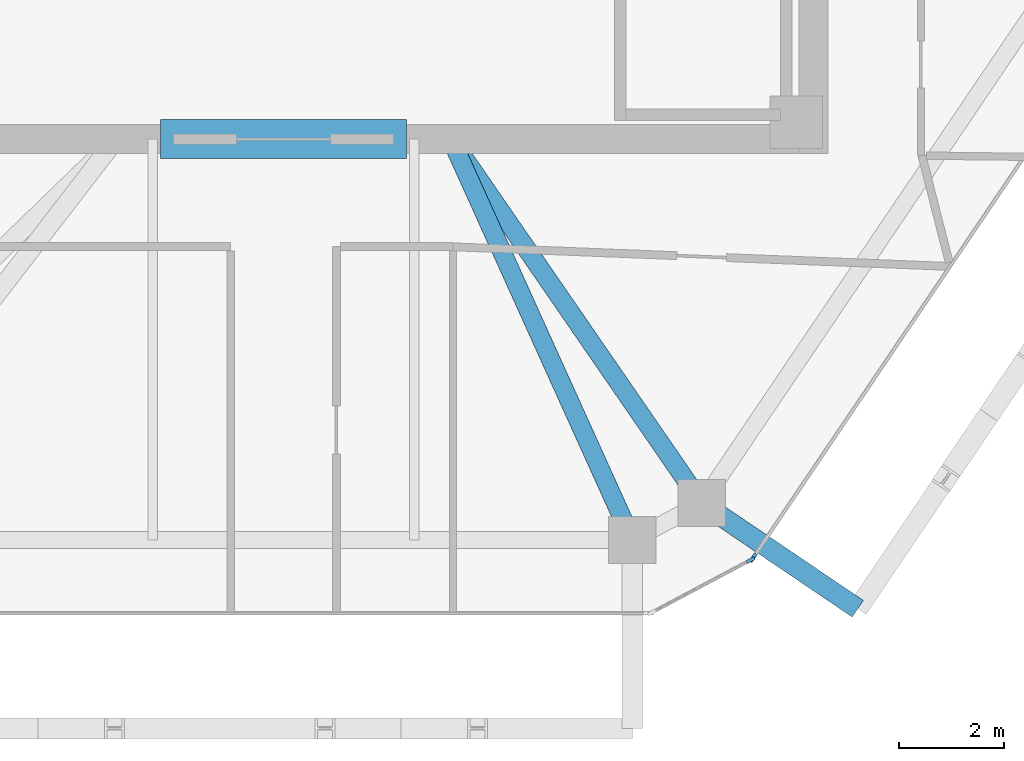
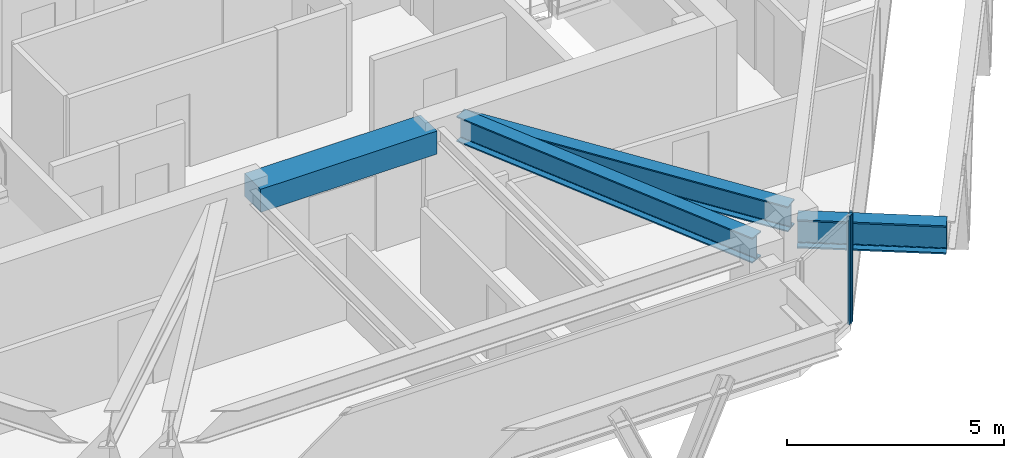
# One storey, part 3 of 11: 4 beams, 2 members, 2 elements without a shape of their own.
"""IFC4 building model written with IfcOpenShell, lengths in metres."""

from ifc_helpers import new_model, si_unit, direction, frame, origin, origin_2d, place, context, subcontext, project, spatial, rectangle, i_section, extrude, source, transform, mapped, material, layer, layer_set, material_profile, profile_set, type_object, type_shapes, element, aggregate, save


model = new_model("IFC4")

# Units and contexts
model_context = context("Model", 3, precision=1e-05, world=origin(), true_north=direction((0.0, 1.0)))
body_context = subcontext(model_context, "Body", "Model", "MODEL_VIEW")
ifc_project = project(units=[si_unit("LENGTHUNIT", "METRE"), si_unit("AREAUNIT", "SQUARE_METRE"), si_unit("VOLUMEUNIT", "CUBIC_METRE"), si_unit("PLANEANGLEUNIT", "RADIAN"), si_unit("MASSUNIT", "GRAM", prefix="KILO")], contexts=[model_context])

# Site, building, storey
site_placement = place(None, origin())
site = spatial("IfcSite", under=ifc_project, at=site_placement, CompositionType="ELEMENT")
building_placement = place(site_placement, origin())
building = spatial("IfcBuilding", under=site, at=building_placement, Name="Durnholm Broadcast Tower", CompositionType="ELEMENT")
storey_placement = place(building_placement, frame((0.0, 0.0, 218.300048828125)))
storey = spatial("IfcBuildingStorey", under=building, at=storey_placement, Name="L60", CompositionType="ELEMENT", Elevation=218.300048828125)

# Beams
ifc_material_1 = material(Name="Concrete C70/85", Category="concrete")
ifc_material_profile_1 = material_profile(ifc_material_1, rectangle(XDim=0.75, YDim=0.64990234375, at=origin_2d()), Name="RC750X650")
ifc_profile_set_1 = profile_set([ifc_material_profile_1], Name="Concrete C70/85")
beam_type_1 = type_object("IfcBeamType", Name="BM-CB-RC650", PredefinedType="LINTEL", material=ifc_profile_set_1)
shared_shape_1 = source(origin(), body_context, "Body", "SweptSolid", [
    extrude(rectangle(XDim=0.75, YDim=0.64990234375, at=origin_2d()), origin(), (0.0, 0.0, 1.0), 4.7001953125),
])
type_shapes(beam_type_1, [shared_shape_1])
beam_1_placement = place(storey_placement, frame((-2.35009765625, -8.125, 2.72998046875), z_axis=(1.0, 0.0, 0.0), x_axis=(0.0, 1.0, 0.0)))
element("IfcBeam", 1, at=beam_1_placement, inside=storey, type_object=beam_type_1, Name="L60 south core coupling lintel beam CB-S", PredefinedType="LINTEL", context=body_context, shape_type="MappedRepresentation", body=[
    mapped(shared_shape_1, transform((0.0, 0.0, 0.0), x_axis=(1.0, 0.0, 0.0), y_axis=(0.0, 1.0, 0.0), z_axis=(0.0, 0.0, 1.0), scale=1.0)),
])
ifc_material_2 = material(Name="Steel ASTM A992 Grade 50", Category="steel")
ifc_material_profile_2 = material_profile(ifc_material_2, i_section(OverallWidth=0.385009765625, OverallDepth=0.802978515625, WebThickness=0.023681640625, FlangeThickness=0.0419921875, FilletRadius=0.032958984375, at=origin_2d()), Name="W30X261")
ifc_profile_set_2 = profile_set([ifc_material_profile_2], Name="Steel ASTM A992 Grade 50")
beam_type_2 = type_object("IfcBeamType", Name="BM-EXO-TIE", PredefinedType="USERDEFINED", material=ifc_profile_set_2)
shared_shape_2 = source(origin(), body_context, "Body", "SweptSolid", [
    extrude(i_section(OverallWidth=0.385009765625, OverallDepth=0.802978515625, WebThickness=0.023681640625, FlangeThickness=0.0419921875, FilletRadius=0.032958984375, at=origin_2d()), origin(), (0.0, 0.0, 1.0), 3.4560546875),
])
type_shapes(beam_type_2, [shared_shape_2])
beam_2_placement = place(storey_placement, frame((8.110107421875, -15.161865234375, 2.30859375), z_axis=(0.828468499792, -0.560035663911, 0.0), x_axis=(0.560035663911, 0.828468499792, 0.0)))
element("IfcBeam", 2, at=beam_2_placement, inside=storey, type_object=beam_type_2, Name="L60 exoskeleton stand-off tie bracket F2.1", ObjectType="GIRDER", PredefinedType="USERDEFINED", context=body_context, shape_type="MappedRepresentation", body=[
    mapped(shared_shape_2, transform((0.0, 0.0, 0.0), x_axis=(1.0, 0.0, 0.0), y_axis=(0.0, 1.0, 0.0), z_axis=(0.0, 0.0, 1.0), scale=1.0)),
])
ifc_material_profile_3 = material_profile(ifc_material_2, i_section(OverallWidth=0.3564453125, OverallDepth=0.713623046875, WebThickness=0.01904296875, FlangeThickness=0.033935546875, FilletRadius=0.030517578125, at=origin_2d()), Name="W27X194")
ifc_profile_set_3 = profile_set([ifc_material_profile_3], Name="Steel ASTM A992 Grade 50")
beam_type_3 = type_object("IfcBeamType", Name="STL-GR-W27X194", PredefinedType="USERDEFINED", material=ifc_profile_set_3)
shared_shape_3 = source(origin(), body_context, "Body", "SweptSolid", [
    extrude(i_section(OverallWidth=0.3564453125, OverallDepth=0.713623046875, WebThickness=0.01904296875, FlangeThickness=0.033935546875, FilletRadius=0.030517578125, at=origin_2d()), origin(), (0.0, 0.0, 1.0), 8.446533203125),
])
beam_3_placement = place(storey_placement, frame((3.199951171875, -8.125, 2.688232421875), z_axis=(0.567216806915, -0.823568511997, 0.0), x_axis=(0.823568511997, 0.567216806915, 0.0)))
element("IfcBeam", 3, at=beam_3_placement, inside=storey, type_object=beam_type_3, Name="L60 radial primary floor girder 10", ObjectType="GIRDER", PredefinedType="USERDEFINED", context=body_context, shape_type="MappedRepresentation", body=[
    mapped(shared_shape_3, transform((0.0, 0.0, 0.0), x_axis=(1.0, 0.0, 0.0), y_axis=(0.0, 1.0, 0.0), z_axis=(0.0, 0.0, 1.0), scale=1.0)),
])
shared_shape_4 = source(origin(), body_context, "Body", "SweptSolid", [
    extrude(i_section(OverallWidth=0.3564453125, OverallDepth=0.713623046875, WebThickness=0.01904296875, FlangeThickness=0.033935546875, FilletRadius=0.030517578125, at=origin_2d()), origin(), (0.0, 0.0, 1.0), 8.407470703125),
])
type_shapes(beam_type_3, [shared_shape_3, shared_shape_4])
beam_4_placement = place(storey_placement, frame((3.199951171875, -8.125, 2.688232421875), z_axis=(0.411992813642, -0.911187094678, 0.0), x_axis=(0.911187094678, 0.411992813642, 0.0)))
element("IfcBeam", 4, at=beam_4_placement, inside=storey, type_object=beam_type_3, Name="L60 radial primary floor girder 11", ObjectType="GIRDER", PredefinedType="USERDEFINED", context=body_context, shape_type="MappedRepresentation", body=[
    mapped(shared_shape_4, transform((0.0, 0.0, 0.0), x_axis=(1.0, 0.0, 0.0), y_axis=(0.0, 1.0, 0.0), z_axis=(0.0, 0.0, 1.0), scale=1.0)),
])

# Curtain wall, member
ifc_material_3 = material(Name="Aluminium and Solar Control IGU", Category="aluminium")
ifc_layer_1 = layer(ifc_material_3, 0.1650390625)
ifc_layer_set_1 = layer_set([ifc_layer_1], Name="Aluminium and Solar Control IGU")
curtain_wall_type_1 = type_object("IfcCurtainWallType", Name="CW-SYS-5", PredefinedType="NOTDEFINED", material=ifc_layer_set_1)
curtain_wall_1_placement = place(storey_placement, origin())
curtain_wall_1 = element("IfcCurtainWall", 5, at=curtain_wall_1_placement, inside=storey, type_object=curtain_wall_type_1, Name="L60 curtain wall CW-CORNER CW-L60-CRN-09", PredefinedType="NOTDEFINED")
ifc_material_4 = material(Name="Aluminium 6063-T6", Category="aluminium")
ifc_material_profile_4 = material_profile(ifc_material_4, rectangle(XDim=0.06494140625, YDim=0.1650390625, at=origin_2d()), Name="CWM65X165")
ifc_profile_set_4 = profile_set([ifc_material_profile_4], Name="Aluminium 6063-T6")
member_type_1 = type_object("IfcMemberType", Name="CW-SYS-5-MUL", PredefinedType="MULLION", material=ifc_profile_set_4)
shared_shape_5 = source(origin(), body_context, "Body", "SweptSolid", [
    extrude(rectangle(XDim=0.06494140625, YDim=0.1650390625, at=origin_2d()), origin(), (0.0, 0.0, 1.0), 3.06005859375),
])
type_shapes(member_type_1, [shared_shape_5])
member_1_placement = place(storey_placement, frame((8.9267578125, -16.16943359375, 0.0), z_axis=(0.0, 0.0, 1.0), x_axis=(0.469006771575, -0.883194569853, 0.0)))
member_1 = element("IfcMember", 6, at=member_1_placement, type_object=member_type_1, Name="CW-CORNER mullion 1", PredefinedType="MULLION", context=body_context, shape_type="MappedRepresentation", body=[
    mapped(shared_shape_5, transform((0.0, 0.0, 0.0), x_axis=(1.0, 0.0, 0.0), y_axis=(0.0, 1.0, 0.0), z_axis=(0.0, 0.0, 1.0), scale=1.0)),
])
aggregate(curtain_wall_1, [member_1])

ifc_layer_2 = layer(ifc_material_3, 0.18994140625)
ifc_layer_set_2 = layer_set([ifc_layer_2], Name="Aluminium and Solar Control IGU")
curtain_wall_type_2 = type_object("IfcCurtainWallType", Name="CW-SYS-4", PredefinedType="NOTDEFINED", material=ifc_layer_set_2)
curtain_wall_2_placement = place(storey_placement, origin())
curtain_wall_2 = element("IfcCurtainWall", 7, at=curtain_wall_2_placement, inside=storey, type_object=curtain_wall_type_2, Name="L60 curtain wall CW-Z34-VIS CW-L60-F08", PredefinedType="NOTDEFINED")
ifc_material_profile_5 = material_profile(ifc_material_4, rectangle(XDim=0.070068359375, YDim=0.18994140625, at=origin_2d()), Name="CWM70X190")
ifc_profile_set_5 = profile_set([ifc_material_profile_5], Name="Aluminium 6063-T6")
member_type_2 = type_object("IfcMemberType", Name="CW-SYS-4-MUL", PredefinedType="MULLION", material=ifc_profile_set_5)
shared_shape_6 = source(origin(), body_context, "Body", "SweptSolid", [
    extrude(rectangle(XDim=0.070068359375, YDim=0.18994140625, at=origin_2d()), origin(), (0.0, 0.0, 1.0), 3.06005859375),
])
type_shapes(member_type_2, [shared_shape_6])
member_2_placement = place(storey_placement, frame((8.97509765625, -16.125244140625, 0.0), z_axis=(0.0, 0.0, 1.0), x_axis=(0.828443431662, -0.560072745753, 0.0)))
member_2 = element("IfcMember", 8, at=member_2_placement, type_object=member_type_2, Name="CW-Z34-VIS mullion 2", PredefinedType="MULLION", context=body_context, shape_type="MappedRepresentation", body=[
    mapped(shared_shape_6, transform((0.0, 0.0, 0.0), x_axis=(1.0, 0.0, 0.0), y_axis=(0.0, 1.0, 0.0), z_axis=(0.0, 0.0, 1.0), scale=1.0)),
])
aggregate(curtain_wall_2, [member_2])

save(model, "model.ifc")
